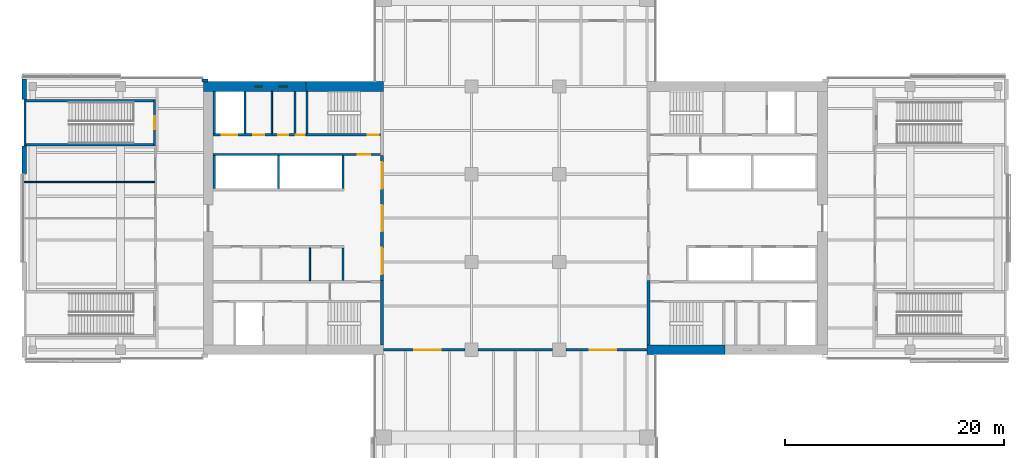
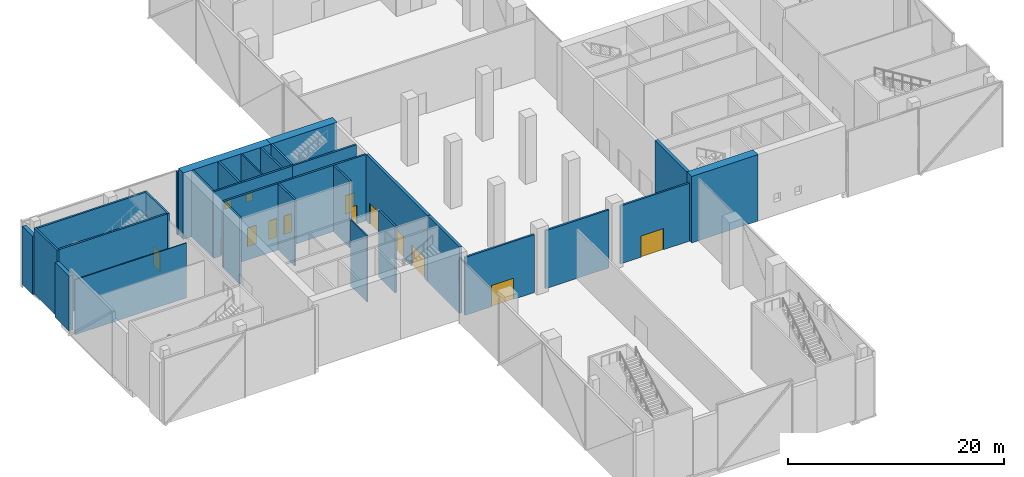
# One storey, part 15 of 25: 30 walls, 12 doors, 2 windows, 14 openings.
"""IFC4 building model written with IfcOpenShell, lengths in metres."""

import ifcopenshell
import ifcopenshell.guid

model = None  # the IFC model being written
_history = None  # IfcOwnerHistory: only IFC2X3 demands one
_inside = {}  # id of a spatial element -> (the spatial element, [elements in it])
_under = {}  # id of a project, library or spatial element -> (it, [spatial elements below it])
_declared = {}  # id of a project -> (the project, [libraries it declares])
_typed = {}  # id of a type object -> (the type object, [elements of that type])
_made_of = {}  # id of a material, layer set ... -> (it, [elements and type objects made of it])


def new_model(schema):
    """Start an empty IFC model of exactly this schema.

    Asked for "IFC4X3", IfcOpenShell would pick the latest addendum, in which some entities
    have other attributes; the version numbers below select the first issue.
    IFC2X3 requires an IfcOwnerHistory on every rooted entity: one is made here for all.
    """
    global model, _history
    if schema == "IFC4X3":
        model = ifcopenshell.file(schema_version=(4, 3, 0, 0))
    else:
        model = ifcopenshell.file(schema=schema)
    _inside.clear()
    _under.clear()
    _declared.clear()
    _typed.clear()
    _made_of.clear()
    _history = None
    if model.schema == "IFC2X3":
        org = make("IfcOrganization", Name="unknown")
        user = make(
            "IfcPersonAndOrganization",
            ThePerson=make("IfcPerson", FamilyName="unknown"),
            TheOrganization=org,
        )
        app = make(
            "IfcApplication",
            ApplicationDeveloper=org,
            Version="unknown",
            ApplicationFullName="unknown",
            ApplicationIdentifier="unknown",
        )
        _history = make(
            "IfcOwnerHistory",
            OwningUser=user,
            OwningApplication=app,
            ChangeAction="ADDED",
            CreationDate=0,
        )
    return model


def make(cls, **values):
    """One entity of the class cls with the attributes given. An attribute that is None is left unset."""
    return model.create_entity(
        cls, **{name: value for name, value in values.items() if value is not None}
    )


def rooted(cls, **values):
    """An entity with a GlobalId (a new one), such as an element, a storey or a relation."""
    return make(cls, GlobalId=ifcopenshell.guid.new(), OwnerHistory=_history, **values)


def si_unit(unit_type, name, prefix=None):
    """IfcSIUnit, for example si_unit("LENGTHUNIT", "METRE", prefix="MILLI")."""
    return make("IfcSIUnit", UnitType=unit_type, Prefix=prefix, Name=name)


def assignment(units):
    """IfcUnitAssignment: the units of a project."""
    return None if units is None else make("IfcUnitAssignment", Units=units)


def point(xyz):
    """IfcCartesianPoint."""
    return None if xyz is None else make("IfcCartesianPoint", Coordinates=xyz)


def direction(xyz):
    """IfcDirection."""
    return None if xyz is None else make("IfcDirection", DirectionRatios=xyz)


def frame(location, z_axis=None, x_axis=None):
    """IfcAxis2Placement3D, a coordinate frame: its origin and axes. An axis left out is left unset."""
    return make(
        "IfcAxis2Placement3D",
        Location=point(location),
        Axis=direction(z_axis),
        RefDirection=direction(x_axis),
    )


def frame_2d(location, x_axis=None):
    """IfcAxis2Placement2D, a coordinate frame in the plane: its origin and x axis."""
    return make(
        "IfcAxis2Placement2D", Location=point(location), RefDirection=direction(x_axis)
    )


def origin():
    """The frame at (0, 0, 0) with its axes left unset."""
    return frame((0.0, 0.0, 0.0))


def place(relative_to, where):
    """IfcLocalPlacement: puts the frame where relative to a parent placement (None: the world)."""
    return make(
        "IfcLocalPlacement", PlacementRelTo=relative_to, RelativePlacement=where
    )


def context(
    kind, dimensions, precision=None, world=None, true_north=None, identifier=None
):
    """IfcGeometricRepresentationContext, for example the 3D "Model" context."""
    return make(
        "IfcGeometricRepresentationContext",
        ContextIdentifier=identifier,
        ContextType=kind,
        CoordinateSpaceDimension=dimensions,
        Precision=precision,
        WorldCoordinateSystem=world,
        TrueNorth=true_north,
    )


def subcontext(parent, identifier, kind, view, scale=None):
    """IfcGeometricRepresentationSubContext, for example "Body" below "Model"."""
    return make(
        "IfcGeometricRepresentationSubContext",
        ContextIdentifier=identifier,
        ContextType=kind,
        ParentContext=parent,
        TargetScale=scale,
        TargetView=view,
    )


def project(units=None, contexts=None):
    """IfcProject with its units and contexts."""
    return rooted(
        "IfcProject",
        Name="project",
        RepresentationContexts=contexts,
        UnitsInContext=assignment(units),
    )


def spatial(cls, under=None, at=None, **own):
    """A site, building, storey or space (cls), placed at a placement, below another one or the project."""
    s = rooted(cls, ObjectPlacement=at, **own)
    if under is not None:
        _under.setdefault(under.id(), (under, []))[1].append(s)
    return s


def profile(cls, at=None, kind="AREA", **sizes):
    """A parametric profile (cls). Its sizes go by their IFC names, for example OverallWidth=200.0."""
    return make(cls, ProfileType=kind, Position=at, **sizes)


def rectangle(**sizes):
    """IfcRectangleProfileDef."""
    return profile("IfcRectangleProfileDef", **sizes)


def extrude(swept, where, along, depth):
    """IfcExtrudedAreaSolid: the profile swept, set in the frame where, extruded along a direction by depth."""
    return make(
        "IfcExtrudedAreaSolid",
        SweptArea=swept,
        Position=where,
        ExtrudedDirection=direction(along),
        Depth=depth,
    )


def shape(context_of_items, identifier, shape_type, items):
    """IfcShapeRepresentation: the items that make up one representation, for example the "Body"."""
    return make(
        "IfcShapeRepresentation",
        ContextOfItems=context_of_items,
        RepresentationIdentifier=identifier,
        RepresentationType=shape_type,
        Items=items,
    )


def material(Name=None, Category=None):
    """IfcMaterial."""
    return make("IfcMaterial", Name=Name, Category=Category)


def layer(
    of_material, thickness, ventilated=None, Name=None, Category=None, Priority=None
):
    """IfcMaterialLayer: one layer of a wall or slab, of a material (None: an air gap)."""
    return make(
        "IfcMaterialLayer",
        Material=of_material,
        LayerThickness=thickness,
        IsVentilated=ventilated,
        Name=Name,
        Category=Category,
        Priority=Priority,
    )


def layer_set(layers, Name=None):
    """IfcMaterialLayerSet."""
    return make("IfcMaterialLayerSet", MaterialLayers=layers, LayerSetName=Name)


def constituent(of_material, Name=None, Category=None, fraction=None):
    """IfcMaterialConstituent: one of the materials an element consists of."""
    return make(
        "IfcMaterialConstituent",
        Name=Name,
        Material=of_material,
        Fraction=fraction,
        Category=Category,
    )


def constituent_set(constituents=None, Name=None):
    """IfcMaterialConstituentSet."""
    return make(
        "IfcMaterialConstituentSet", Name=Name, MaterialConstituents=constituents
    )


def made_of(thing, what):
    """Note that an element or type object is made of a material, layer set ...; save() writes the relation."""
    if what is not None:
        _made_of.setdefault(what.id(), (what, []))[1].append(thing)
    return thing


def type_object(cls, material=None, **own):
    """A type object (cls), such as IfcWallType, which elements share."""
    return made_of(rooted(cls, **own), material)


def element(
    cls,
    number,
    at=None,
    inside=None,
    cuts=None,
    type_object=None,
    material=None,
    context=None,
    identifier="Body",
    shape_type=None,
    held_by="IfcProductDefinitionShape",
    body=None,
    shapes=None,
    **own,
):
    """One element of the class cls, such as IfcWall. Its Tag is "e" and its number.

    at: its placement. inside: the storey or other place that contains it. cuts: it is an
    opening in that element (IfcRelVoidsElement). A single representation is given by context,
    identifier, shape_type and body (its items); several are given by shapes. held_by: the class
    of the entity that holds the representations. save() writes the other relations.
    """
    e = rooted(cls, Tag="e%d" % number, ObjectPlacement=at, **own)
    if body is not None:
        shapes = [shape(context, identifier, shape_type, body)]
    if shapes is not None:
        e.Representation = make(held_by, Representations=shapes)
    if inside is not None:
        _inside.setdefault(inside.id(), (inside, []))[1].append(e)
    if cuts is not None:
        rooted(
            "IfcRelVoidsElement", RelatingBuildingElement=cuts, RelatedOpeningElement=e
        )
    if type_object is not None:
        _typed.setdefault(type_object.id(), (type_object, []))[1].append(e)
    return made_of(e, material)


def fill(opening, filler):
    """IfcRelFillsElement: the door or window that sits in an opening."""
    return rooted(
        "IfcRelFillsElement",
        RelatingOpeningElement=opening,
        RelatedBuildingElement=filler,
    )


def aggregate(whole, parts):
    """IfcRelAggregates: a whole, such as a stair, and the parts it consists of."""
    return rooted("IfcRelAggregates", RelatingObject=whole, RelatedObjects=parts)


def save(model, path):
    """Write the relations noted so far, then the file.

    IfcRelAggregates (storeys below a building ...), IfcRelContainedInSpatialStructure (elements
    in a storey), IfcRelDefinesByType, IfcRelAssociatesMaterial and IfcRelDeclares: one each for
    every whole, place, type object, material and project.
    """
    for whole, parts in _under.values():
        aggregate(whole, parts)
    for where, things in _inside.values():
        rooted(
            "IfcRelContainedInSpatialStructure",
            RelatedElements=things,
            RelatingStructure=where,
        )
    for kind, things in _typed.values():
        rooted("IfcRelDefinesByType", RelatedObjects=things, RelatingType=kind)
    for what, things in _made_of.values():
        rooted("IfcRelAssociatesMaterial", RelatedObjects=things, RelatingMaterial=what)
    for by, libraries in _declared.values():
        rooted("IfcRelDeclares", RelatingContext=by, RelatedDefinitions=libraries)
    model.write(path)


model = new_model("IFC4")

# Units and contexts
model_context = context("Model", 3, precision=1e-05, world=origin(), true_north=direction((0.0, 1.0)))
body_context = subcontext(model_context, "Body", "Model", "MODEL_VIEW")
ifc_project = project(units=[si_unit("LENGTHUNIT", "METRE"), si_unit("AREAUNIT", "SQUARE_METRE"), si_unit("VOLUMEUNIT", "CUBIC_METRE"), si_unit("PLANEANGLEUNIT", "RADIAN"), si_unit("MASSUNIT", "GRAM", prefix="KILO")], contexts=[model_context])

# Site, building, storey
site_placement = place(None, origin())
site = spatial("IfcSite", under=ifc_project, at=site_placement, CompositionType="ELEMENT")
building_placement = place(site_placement, origin())
building = spatial("IfcBuilding", under=site, at=building_placement, Name="Crosswind Convention Tower", CompositionType="ELEMENT")
storey_placement = place(building_placement, frame((0.0, 0.0, 34.0)))
storey = spatial("IfcBuildingStorey", under=building, at=storey_placement, Name="L04", CompositionType="ELEMENT", Elevation=34.0)

# Walls
ifc_material_1 = material(Name="Concrete blockwork", Category="masonry")
ifc_layer_1 = layer(ifc_material_1, 0.199951171875)
ifc_layer_set_1 = layer_set([ifc_layer_1], Name="Blockwork partition wall 200")
wall_type_1 = type_object("IfcWallType", Name="Blockwork partition wall 200", PredefinedType="PARTITIONING", material=ifc_layer_set_1)
wall_1_placement = place(storey_placement, frame((104.89990234375, 111.550048828125, 0.0), z_axis=(0.0, 0.0, 1.0), x_axis=(0.0, -1.0, 0.0)))
element("IfcWall", 1, at=wall_1_placement, inside=storey, type_object=wall_type_1, Name="Wall MRSE W L04", PredefinedType="PARTITIONING", context=body_context, shape_type="SweptSolid", body=[
    extrude(rectangle(XDim=3.85009765625, YDim=0.199951171875, at=frame_2d((1.925048828125, 0.0))), origin(), (0.0, 0.0, 1.0), 7.5),
])
ifc_material_2 = material(Name="Concrete C50/60", Category="concrete")
ifc_layer_2 = layer(ifc_material_2, 0.300048828125)
ifc_layer_set_2 = layer_set([ifc_layer_2], Name="Concrete C50/60")
wall_type_2 = type_object("IfcWallType", Name="Concrete inner core wall 300", PredefinedType="SHEAR", material=ifc_layer_set_2)
wall_2_placement = place(storey_placement, frame((137.14990234375, 88.449951171875, 0.0), z_axis=(0.0, 0.0, 1.0), x_axis=(0.0, 1.0, 0.0)))
element("IfcWall", 2, at=wall_2_placement, inside=storey, type_object=wall_type_2, Name="Wall EM E L04", PredefinedType="SHEAR", context=body_context, shape_type="SweptSolid", body=[
    extrude(rectangle(XDim=5.85009765625, YDim=0.300048828125, at=frame_2d((2.925048828125, 0.0))), origin(), (0.0, 0.0, 1.0), 7.5),
])

# Wall, openings, doors
wall_3_placement = place(storey_placement, frame((112.85009765625, 105.699951171875, 0.0), z_axis=(0.0, 0.0, 1.0), x_axis=(0.0, -1.0, 0.0)))
wall_3 = element("IfcWall", 3, at=wall_3_placement, inside=storey, type_object=wall_type_2, Name="Wall SCR W L04", PredefinedType="SHEAR", context=body_context, shape_type="SweptSolid", body=[
    extrude(rectangle(XDim=11.39990234375, YDim=0.300048828125, at=frame_2d((5.699951171875, 0.0))), origin(), (0.0, 0.0, 1.0), 7.5),
])
opening_1_placement = place(wall_3_placement, frame((0.60009765625, 0.0, 0.0)))
opening_1 = element("IfcOpeningElement", 4, at=opening_1_placement, cuts=wall_3, Name="Opening D100", PredefinedType="OPENING", context=body_context, shape_type="SweptSolid", body=[
    extrude(rectangle(XDim=2.39990234375, YDim=2.39990234375, at=frame_2d((1.199951171875, 1.199951171875))), frame((0.0, 0.159912109375, 0.0), z_axis=(0.0, -1.0, 0.0), x_axis=(1.0, 0.0, 0.0)), (0.0, 0.0, 1.0), 0.320068359375),
])
opening_2_placement = place(wall_3_placement, frame((4.5, 0.0, 0.0)))
opening_2 = element("IfcOpeningElement", 5, at=opening_2_placement, cuts=wall_3, Name="Opening D100", PredefinedType="OPENING", context=body_context, shape_type="SweptSolid", body=[
    extrude(rectangle(XDim=2.39990234375, YDim=2.39990234375, at=frame_2d((1.199951171875, 1.199951171875))), frame((0.0, 0.159912109375, 0.0), z_axis=(0.0, -1.0, 0.0), x_axis=(1.0, 0.0, 0.0)), (0.0, 0.0, 1.0), 0.320068359375),
])
opening_3_placement = place(wall_3_placement, frame((8.39990234375, 0.0, 0.0)))
opening_3 = element("IfcOpeningElement", 6, at=opening_3_placement, cuts=wall_3, Name="Opening D100", PredefinedType="OPENING", context=body_context, shape_type="SweptSolid", body=[
    extrude(rectangle(XDim=2.39990234375, YDim=2.39990234375, at=frame_2d((1.199951171875, 1.199951171875))), frame((0.0, 0.159912109375, 0.0), z_axis=(0.0, -1.0, 0.0), x_axis=(1.0, 0.0, 0.0)), (0.0, 0.0, 1.0), 0.320068359375),
])
ifc_material_3 = material(Name="Steel fire door with glazed vision panels", Category="steel")
door_type_1 = type_object("IfcDoorType", Name="Fire-rated double door 2400x2400", OperationType="DOUBLE_DOOR_SINGLE_SWING", PredefinedType="DOOR", material=ifc_material_3)
door_1_placement = place(opening_1_placement, frame((2.39990234375, 0.0, 0.0), z_axis=(0.0, 0.0, 1.0), x_axis=(-1.0, 0.0, 0.0)))
door_1 = element("IfcDoor", 7, at=door_1_placement, inside=storey, type_object=door_type_1, Name="Lobby door 1 L04", ObjectType="D100", OperationType="DOUBLE_DOOR_SINGLE_SWING", OverallHeight=2.39990234375, OverallWidth=2.39990234375, PredefinedType="DOOR", context=body_context, shape_type="SweptSolid", body=[
    extrude(rectangle(XDim=2.39990234375, YDim=2.39990234375, at=frame_2d((1.199951171875, 1.199951171875))), frame((0.0, 0.02490234375, 0.0), z_axis=(0.0, -1.0, 0.0), x_axis=(1.0, 0.0, 0.0)), (0.0, 0.0, 1.0), 0.050048828125),
])
fill(opening_1, door_1)
door_2_placement = place(opening_2_placement, frame((2.39990234375, 0.0, 0.0), z_axis=(0.0, 0.0, 1.0), x_axis=(-1.0, 0.0, 0.0)))
door_2 = element("IfcDoor", 8, at=door_2_placement, inside=storey, type_object=door_type_1, Name="Lobby door 2 L04", ObjectType="D100", OperationType="DOUBLE_DOOR_SINGLE_SWING", OverallHeight=2.39990234375, OverallWidth=2.39990234375, PredefinedType="DOOR", context=body_context, shape_type="SweptSolid", body=[
    extrude(rectangle(XDim=2.39990234375, YDim=2.39990234375, at=frame_2d((1.199951171875, 1.199951171875))), frame((0.0, 0.02490234375, 0.0), z_axis=(0.0, -1.0, 0.0), x_axis=(1.0, 0.0, 0.0)), (0.0, 0.0, 1.0), 0.050048828125),
])
fill(opening_2, door_2)
door_3_placement = place(opening_3_placement, origin())
door_3 = element("IfcDoor", 9, at=door_3_placement, inside=storey, type_object=door_type_1, Name="Lobby door 3 L04", ObjectType="D100", OperationType="DOUBLE_DOOR_SINGLE_SWING", OverallHeight=2.39990234375, OverallWidth=2.39990234375, PredefinedType="DOOR", context=body_context, shape_type="SweptSolid", body=[
    extrude(rectangle(XDim=2.39990234375, YDim=2.39990234375, at=frame_2d((1.199951171875, 1.199951171875))), frame((0.0, 0.02490234375, 0.0), z_axis=(0.0, -1.0, 0.0), x_axis=(1.0, 0.0, 0.0)), (0.0, 0.0, 1.0), 0.050048828125),
])
fill(opening_3, door_3)

# Walls
wall_4_placement = place(storey_placement, frame((112.85009765625, 94.300048828125, 0.0), z_axis=(0.0, 0.0, 1.0), x_axis=(0.0, -1.0, 0.0)))
element("IfcWall", 10, at=wall_4_placement, inside=storey, type_object=wall_type_2, Name="Wall EP W L04", PredefinedType="SHEAR", context=body_context, shape_type="SweptSolid", body=[
    extrude(rectangle(XDim=5.85009765625, YDim=0.300048828125, at=frame_2d((2.925048828125, 0.0))), origin(), (0.0, 0.0, 1.0), 7.5),
])
ifc_layer_3 = layer(ifc_material_2, 0.199951171875)
ifc_layer_set_3 = layer_set([ifc_layer_3], Name="Concrete C50/60")
wall_type_3 = type_object("IfcWallType", Name="Concrete shaft and stair wall 200", PredefinedType="SHEAR", material=ifc_layer_set_3)
for number, where, z_axis, x_axis, name in (
    (11, (109.300048828125, 97.300048828125, 0.0), (0.0, 0.0, 1.0), (0.0, -1.0, 0.0), "Wall RPEND W L04"),
    (12, (109.300048828125, 105.699951171875, 0.0), (0.0, 0.0, 1.0), (0.0, -1.0, 0.0), "Wall RMEND W L04"),
    (13, (103.39990234375, 105.699951171875, 0.0), (0.0, 0.0, 1.0), (0.0, -1.0, 0.0), "Wall RMSEP W L04"),
    (14, (97.550048828125, 105.699951171875, 0.0), (0.0, 0.0, 1.0), (0.0, -1.0, 0.0), "Wall RMEAST W L04"),
):
    element("IfcWall", number, at=place(storey_placement, frame(where, z_axis=z_axis, x_axis=x_axis)), inside=storey, type_object=wall_type_3, Name=name, PredefinedType="SHEAR", context=body_context, shape_type="SweptSolid", body=[
        extrude(rectangle(XDim=3.0, YDim=0.199951171875, at=frame_2d((1.5, 0.0))), origin(), (0.0, 0.0, 1.0), 7.5),
    ])

# Wall, opening, door
wall_5_placement = place(storey_placement, frame((112.699951171875, 105.800048828125, 0.0), z_axis=(0.0, 0.0, 1.0), x_axis=(-1.0, 0.0, 0.0)))
wall_5 = element("IfcWall", 15, at=wall_5_placement, inside=storey, type_object=wall_type_3, Name="Wall HM W L04", PredefinedType="SHEAR", context=body_context, shape_type="SweptSolid", body=[
    extrude(rectangle(XDim=15.25, YDim=0.199951171875, at=frame_2d((7.625, 0.0))), origin(), (0.0, 0.0, 1.0), 7.5),
])
opening_4_placement = place(wall_5_placement, frame((0.949951171875, 0.0, 0.0)))
opening_4 = element("IfcOpeningElement", 16, at=opening_4_placement, cuts=wall_5, Name="Opening D104", PredefinedType="OPENING", context=body_context, shape_type="SweptSolid", body=[
    extrude(rectangle(XDim=1.10009765625, YDim=2.10009765625, at=frame_2d((0.550048828125, 1.050048828125))), frame((0.0, 0.10986328125, 0.0), z_axis=(0.0, -1.0, 0.0), x_axis=(1.0, 0.0, 0.0)), (0.0, 0.0, 1.0), 0.219970703125),
])
ifc_material_4 = material(Name="Steel fire door", Category="steel")
door_type_2 = type_object("IfcDoorType", Name="Fire-rated single door 1100x2100", OperationType="NOTDEFINED", PredefinedType="DOOR", material=ifc_material_4)
door_4_placement = place(opening_4_placement, frame((1.10009765625, 0.0, 0.0), z_axis=(0.0, 0.0, 1.0), x_axis=(-1.0, 0.0, 0.0)))
door_4 = element("IfcDoor", 17, at=door_4_placement, inside=storey, type_object=door_type_2, Name="Corridor door L04", ObjectType="D104", OperationType="SINGLE_SWING_RIGHT", OverallHeight=2.10009765625, OverallWidth=1.10009765625, PredefinedType="DOOR", context=body_context, shape_type="SweptSolid", body=[
    extrude(rectangle(XDim=1.10009765625, YDim=2.10009765625, at=frame_2d((0.550048828125, 1.050048828125))), frame((0.0, 0.02490234375, 0.0), z_axis=(0.0, -1.0, 0.0), x_axis=(1.0, 0.0, 0.0)), (0.0, 0.0, 1.0), 0.050048828125),
])
fill(opening_4, door_4)

# Walls
for number, where, z_axis, x_axis, name in (
    (18, (106.0, 111.550048828125, 0.0), (0.0, 0.0, 1.0), (0.0, -1.0, 0.0), "Wall MSE W L04"),
    (19, (100.35009765625, 111.550048828125, 0.0), (0.0, 0.0, 1.0), (0.0, -1.0, 0.0), "Wall MFSW W L04"),
    (20, (97.550048828125, 111.550048828125, 0.0), (0.0, 0.0, 1.0), (0.0, -1.0, 0.0), "Wall MFSE W L04"),
):
    element("IfcWall", number, at=place(storey_placement, frame(where, z_axis=z_axis, x_axis=x_axis)), inside=storey, type_object=wall_type_3, Name=name, PredefinedType="SHEAR", context=body_context, shape_type="SweptSolid", body=[
        extrude(rectangle(XDim=3.85009765625, YDim=0.199951171875, at=frame_2d((1.925048828125, 0.0))), origin(), (0.0, 0.0, 1.0), 7.5),
    ])

# Wall, opening, door
wall_6_placement = place(storey_placement, frame((112.699951171875, 107.60009765625, 0.0), z_axis=(0.0, 0.0, 1.0), x_axis=(-1.0, 0.0, 0.0)))
wall_6 = element("IfcWall", 21, at=wall_6_placement, inside=storey, type_object=wall_type_3, Name="Wall MCW W L04", PredefinedType="SHEAR", context=body_context, shape_type="SweptSolid", body=[
    extrude(rectangle(XDim=6.800048828125, YDim=0.199951171875, at=frame_2d((3.39990234375, 0.0))), origin(), (0.0, 0.0, 1.0), 7.5),
])
opening_5_placement = place(wall_6_placement, frame((0.14990234375, 0.0, 0.0)))
opening_5 = element("IfcOpeningElement", 22, at=opening_5_placement, cuts=wall_6, Name="Opening D103", PredefinedType="OPENING", context=body_context, shape_type="SweptSolid", body=[
    extrude(rectangle(XDim=1.0, YDim=2.10009765625, at=frame_2d((0.5, 1.050048828125))), frame((0.0, 0.10986328125, 0.0), z_axis=(0.0, -1.0, 0.0), x_axis=(1.0, 0.0, 0.0)), (0.0, 0.0, 1.0), 0.219970703125),
])
door_type_3 = type_object("IfcDoorType", Name="Fire-rated single door 1000x2100", OperationType="NOTDEFINED", PredefinedType="DOOR", material=ifc_material_4)
door_5_placement = place(opening_5_placement, frame((1.0, 0.0, 0.0), z_axis=(0.0, 0.0, 1.0), x_axis=(-1.0, 0.0, 0.0)))
door_5 = element("IfcDoor", 23, at=door_5_placement, inside=storey, type_object=door_type_3, Name="Stair ST4 door L04", ObjectType="D103", OperationType="SINGLE_SWING_RIGHT", OverallHeight=2.10009765625, OverallWidth=1.0, PredefinedType="DOOR", context=body_context, shape_type="SweptSolid", body=[
    extrude(rectangle(XDim=1.0, YDim=2.10009765625, at=frame_2d((0.5, 1.050048828125))), frame((0.0, 0.02490234375, 0.0), z_axis=(0.0, -1.0, 0.0), x_axis=(1.0, 0.0, 0.0)), (0.0, 0.0, 1.0), 0.050048828125),
])
fill(opening_5, door_5)

# Wall, openings, doors
wall_7_placement = place(storey_placement, frame((105.89990234375, 107.60009765625, 0.0), z_axis=(0.0, 0.0, 1.0), x_axis=(-1.0, 0.0, 0.0)))
wall_7 = element("IfcWall", 24, at=wall_7_placement, inside=storey, type_object=wall_type_3, Name="Wall MCX W L04", PredefinedType="SHEAR", context=body_context, shape_type="SweptSolid", body=[
    extrude(rectangle(XDim=8.449951171875, YDim=0.199951171875, at=frame_2d((4.22509765625, 0.0))), origin(), (0.0, 0.0, 1.0), 7.5),
])
opening_6_placement = place(wall_7_placement, frame((0.10009765625, 0.0, 0.0)))
opening_6 = element("IfcOpeningElement", 25, at=opening_6_placement, cuts=wall_7, Name="Opening D105", PredefinedType="OPENING", context=body_context, shape_type="SweptSolid", body=[
    extrude(rectangle(XDim=0.800048828125, YDim=2.10009765625, at=frame_2d((0.39990234375, 1.050048828125))), frame((0.0, 0.10986328125, 0.0), z_axis=(0.0, -1.0, 0.0), x_axis=(1.0, 0.0, 0.0)), (0.0, 0.0, 1.0), 0.219970703125),
])
opening_7_placement = place(wall_7_placement, frame((1.619140625, 0.0, 0.0)))
opening_7 = element("IfcOpeningElement", 26, at=opening_7_placement, cuts=wall_7, Name="Opening D106", PredefinedType="OPENING", context=body_context, shape_type="SweptSolid", body=[
    extrude(rectangle(XDim=0.89990234375, YDim=2.10009765625, at=frame_2d((0.449951171875, 1.050048828125))), frame((0.0, 0.10986328125, 0.0), z_axis=(0.0, -1.0, 0.0), x_axis=(1.0, 0.0, 0.0)), (0.0, 0.0, 1.0), 0.219970703125),
])
opening_8_placement = place(wall_7_placement, frame((3.806640625, 0.0, 0.0)))
opening_8 = element("IfcOpeningElement", 27, at=opening_8_placement, cuts=wall_7, Name="Opening D103", PredefinedType="OPENING", context=body_context, shape_type="SweptSolid", body=[
    extrude(rectangle(XDim=1.0, YDim=2.10009765625, at=frame_2d((0.5, 1.050048828125))), frame((0.0, 0.10986328125, 0.0), z_axis=(0.0, -1.0, 0.0), x_axis=(1.0, 0.0, 0.0)), (0.0, 0.0, 1.0), 0.219970703125),
])
opening_9_placement = place(wall_7_placement, frame((6.25, 0.0, 0.0)))
opening_9 = element("IfcOpeningElement", 28, at=opening_9_placement, cuts=wall_7, Name="Opening LD2", PredefinedType="OPENING", context=body_context, shape_type="SweptSolid", body=[
    extrude(rectangle(XDim=1.39990234375, YDim=2.10009765625, at=frame_2d((0.699951171875, 1.050048828125))), frame((0.0, 0.10986328125, 0.0), z_axis=(0.0, -1.0, 0.0), x_axis=(1.0, 0.0, 0.0)), (0.0, 0.0, 1.0), 0.219970703125),
])
door_6_placement = place(opening_8_placement, frame((1.0, 0.0, 0.0), z_axis=(0.0, 0.0, 1.0), x_axis=(-1.0, 0.0, 0.0)))
door_6 = element("IfcDoor", 29, at=door_6_placement, inside=storey, type_object=door_type_3, Name="Door to accessible wc L04", ObjectType="D103", OperationType="SINGLE_SWING_LEFT", OverallHeight=2.10009765625, OverallWidth=1.0, PredefinedType="DOOR", context=body_context, shape_type="SweptSolid", body=[
    extrude(rectangle(XDim=1.0, YDim=2.10009765625, at=frame_2d((0.5, 1.050048828125))), frame((0.0, 0.02490234375, 0.0), z_axis=(0.0, -1.0, 0.0), x_axis=(1.0, 0.0, 0.0)), (0.0, 0.0, 1.0), 0.050048828125),
])
fill(opening_8, door_6)
ifc_material_5 = material(Name="Stainless steel", Category="steel")
door_type_4 = type_object("IfcDoorType", Name="Lift landing door 1400x2100", OperationType="DOUBLE_DOOR_SLIDING", PredefinedType="DOOR", material=ifc_material_5)
door_7_placement = place(opening_9_placement, origin())
door_7 = element("IfcDoor", 30, at=door_7_placement, inside=storey, type_object=door_type_4, Name="Landing door SV2 L04", ObjectType="LD2", OperationType="DOUBLE_DOOR_SLIDING", OverallHeight=2.10009765625, OverallWidth=1.39990234375, PredefinedType="DOOR", context=body_context, shape_type="SweptSolid", body=[
    extrude(rectangle(XDim=1.39990234375, YDim=2.10009765625, at=frame_2d((0.699951171875, 1.050048828125))), frame((0.0, 0.02490234375, 0.0), z_axis=(0.0, -1.0, 0.0), x_axis=(1.0, 0.0, 0.0)), (0.0, 0.0, 1.0), 0.050048828125),
])
fill(opening_9, door_7)
door_type_5 = type_object("IfcDoorType", Name="Riser access door 800x2100", OperationType="NOTDEFINED", PredefinedType="DOOR", material=ifc_material_4)
door_8_placement = place(opening_6_placement, frame((0.800048828125, 0.0, 0.0), z_axis=(0.0, 0.0, 1.0), x_axis=(-1.0, 0.0, 0.0)))
door_8 = element("IfcDoor", 31, at=door_8_placement, inside=storey, type_object=door_type_5, Name="Riser door L04", ObjectType="D105", OperationType="SINGLE_SWING_LEFT", OverallHeight=2.10009765625, OverallWidth=0.800048828125, PredefinedType="DOOR", context=body_context, shape_type="SweptSolid", body=[
    extrude(rectangle(XDim=0.800048828125, YDim=2.10009765625, at=frame_2d((0.39990234375, 1.050048828125))), frame((0.0, 0.02490234375, 0.0), z_axis=(0.0, -1.0, 0.0), x_axis=(1.0, 0.0, 0.0)), (0.0, 0.0, 1.0), 0.050048828125),
])
fill(opening_6, door_8)
ifc_material_6 = material(Name="Timber door", Category="wood")
door_type_6 = type_object("IfcDoorType", Name="Single leaf door 900x2100", OperationType="NOTDEFINED", PredefinedType="DOOR", material=ifc_material_6)
door_9_placement = place(opening_7_placement, frame((0.89990234375, 0.0, 0.0), z_axis=(0.0, 0.0, 1.0), x_axis=(-1.0, 0.0, 0.0)))
door_9 = element("IfcDoor", 32, at=door_9_placement, inside=storey, type_object=door_type_6, Name="Door to wc L04", ObjectType="D106", OperationType="SINGLE_SWING_LEFT", OverallHeight=2.10009765625, OverallWidth=0.89990234375, PredefinedType="DOOR", context=body_context, shape_type="SweptSolid", body=[
    extrude(rectangle(XDim=0.89990234375, YDim=2.10009765625, at=frame_2d((0.449951171875, 1.050048828125))), frame((0.0, 0.02490234375, 0.0), z_axis=(0.0, -1.0, 0.0), x_axis=(1.0, 0.0, 0.0)), (0.0, 0.0, 1.0), 0.050048828125),
])
fill(opening_7, door_9)

# Walls
ifc_material_7 = material(Name="Gypsum plasterboard partition", Category="gypsum")
ifc_layer_4 = layer(ifc_material_7, 0.125)
ifc_layer_set_4 = layer_set([ifc_layer_4], Name="Drywall partition wall 125")
wall_type_4 = type_object("IfcWallType", Name="Drywall partition wall 125", PredefinedType="PARTITIONING", material=ifc_layer_set_4)
wall_8_placement = place(storey_placement, frame((106.262451171875, 97.300048828125, 0.0), z_axis=(0.0, 0.0, 1.0), x_axis=(0.0, -1.0, 0.0)))
element("IfcWall", 33, at=wall_8_placement, inside=storey, type_object=wall_type_4, Name="Wall RPP1 W L04", PredefinedType="PARTITIONING", context=body_context, shape_type="SweptSolid", body=[
    extrude(rectangle(XDim=3.0, YDim=0.125, at=frame_2d((1.5, 0.0))), origin(), (0.0, 0.0, 1.0), 7.5),
])
wall_9_placement = place(storey_placement, frame((102.799072265625, 111.550048828125, 0.0), z_axis=(0.0, 0.0, 1.0), x_axis=(0.0, -1.0, 0.0)))
element("IfcWall", 34, at=wall_9_placement, inside=storey, type_object=wall_type_4, Name="Wall MWP1 W L04", PredefinedType="PARTITIONING", context=body_context, shape_type="SweptSolid", body=[
    extrude(rectangle(XDim=3.85009765625, YDim=0.125, at=frame_2d((1.925048828125, 0.0))), origin(), (0.0, 0.0, 1.0), 7.5),
])

# Wall, opening, door
ifc_material_8 = material(Name="Double plasterboard partition", Category="gypsum")
ifc_layer_5 = layer(ifc_material_8, 0.199951171875)
ifc_layer_set_5 = layer_set([ifc_layer_5], Name="HALL WALL 200")
wall_type_5 = type_object("IfcWallType", Name="HALL WALL 200", PredefinedType="PARTITIONING", material=ifc_layer_set_5)
wall_10_placement = place(storey_placement, frame((113.0, 88.0, 0.0), z_axis=(0.0, 0.0, 1.0), x_axis=(1.0, 0.0, 0.0)))
wall_10 = element("IfcWall", 35, at=wall_10_placement, inside=storey, type_object=wall_type_5, Name="Hall Wall 5", PredefinedType="PARTITIONING", context=body_context, shape_type="SweptSolid", body=[
    extrude(rectangle(XDim=7.39990234375, YDim=0.199951171875, at=frame_2d((3.699951171875, 0.0))), origin(), (0.0, 0.0, 1.0), 6.551025390625),
])
opening_10_placement = place(wall_10_placement, frame((2.800048828125, 0.0, 0.0)))
opening_10 = element("IfcOpeningElement", 36, at=opening_10_placement, cuts=wall_10, Name="Opening 04.005", PredefinedType="OPENING", context=body_context, shape_type="SweptSolid", body=[
    extrude(rectangle(XDim=2.39990234375, YDim=2.39990234375, at=frame_2d((1.199951171875, 1.199951171875))), frame((0.0, 0.10986328125, 0.0), z_axis=(0.0, -1.0, 0.0), x_axis=(1.0, 0.0, 0.0)), (0.0, 0.0, 1.0), 0.219970703125),
])
ifc_material_9 = material(Name="Timber fire door", Category="wood")
door_type_7 = type_object("IfcDoorType", Name="BALLROOM DOUBLE DOOR 2400X2400", OperationType="DOUBLE_DOOR_SINGLE_SWING", PredefinedType="DOOR", material=ifc_material_9)
door_10_placement = place(opening_10_placement, origin())
door_10 = element("IfcDoor", 37, at=door_10_placement, inside=storey, type_object=door_type_7, Name="Door 04.005", ObjectType="D8", OperationType="DOUBLE_DOOR_SINGLE_SWING", OverallHeight=2.39990234375, OverallWidth=2.39990234375, PredefinedType="DOOR", context=body_context, shape_type="SweptSolid", body=[
    extrude(rectangle(XDim=2.39990234375, YDim=2.39990234375, at=frame_2d((1.199951171875, 1.199951171875))), frame((0.0, 0.02490234375, 0.0), z_axis=(0.0, -1.0, 0.0), x_axis=(1.0, 0.0, 0.0)), (0.0, 0.0, 1.0), 0.050048828125),
])
fill(opening_10, door_10)

# Wall
wall_11_placement = place(storey_placement, frame((121.60009765625, 88.0, 0.0), z_axis=(0.0, 0.0, 1.0), x_axis=(1.0, 0.0, 0.0)))
element("IfcWall", 38, at=wall_11_placement, inside=storey, type_object=wall_type_5, Name="Hall Wall 6", PredefinedType="PARTITIONING", context=body_context, shape_type="SweptSolid", body=[
    extrude(rectangle(XDim=6.7998046875, YDim=0.199951171875, at=frame_2d((3.39990234375, 0.0))), origin(), (0.0, 0.0, 1.0), 6.555419921875),
])

# Wall, opening, door
wall_12_placement = place(storey_placement, frame((129.60009765625, 88.0, 0.0), z_axis=(0.0, 0.0, 1.0), x_axis=(1.0, 0.0, 0.0)))
wall_12 = element("IfcWall", 39, at=wall_12_placement, inside=storey, type_object=wall_type_5, Name="Hall Wall 7", PredefinedType="PARTITIONING", context=body_context, shape_type="SweptSolid", body=[
    extrude(rectangle(XDim=7.39990234375, YDim=0.199951171875, at=frame_2d((3.699951171875, 0.0))), origin(), (0.0, 0.0, 1.0), 6.551025390625),
])
opening_11_placement = place(wall_12_placement, frame((2.199951171875, 0.0, 0.0)))
opening_11 = element("IfcOpeningElement", 40, at=opening_11_placement, cuts=wall_12, Name="Opening 04.006", PredefinedType="OPENING", context=body_context, shape_type="SweptSolid", body=[
    extrude(rectangle(XDim=2.39990234375, YDim=2.39990234375, at=frame_2d((1.199951171875, 1.199951171875))), frame((0.0, 0.10986328125, 0.0), z_axis=(0.0, -1.0, 0.0), x_axis=(1.0, 0.0, 0.0)), (0.0, 0.0, 1.0), 0.219970703125),
])
door_11_placement = place(opening_11_placement, origin())
door_11 = element("IfcDoor", 41, at=door_11_placement, inside=storey, type_object=door_type_7, Name="Door 04.006", ObjectType="D8", OperationType="DOUBLE_DOOR_SINGLE_SWING", OverallHeight=2.39990234375, OverallWidth=2.39990234375, PredefinedType="DOOR", context=body_context, shape_type="SweptSolid", body=[
    extrude(rectangle(XDim=2.39990234375, YDim=2.39990234375, at=frame_2d((1.199951171875, 1.199951171875))), frame((0.0, 0.02490234375, 0.0), z_axis=(0.0, -1.0, 0.0), x_axis=(1.0, 0.0, 0.0)), (0.0, 0.0, 1.0), 0.050048828125),
])
fill(opening_11, door_11)

# Walls
ifc_material_10 = material(Name="Plasterboard partition", Category="gypsum")
ifc_layer_6 = layer(ifc_material_10, 0.10009765625)
ifc_layer_set_6 = layer_set([ifc_layer_6], Name="PARTITION 100")
wall_type_6 = type_object("IfcWallType", Name="PARTITION 100", PredefinedType="PARTITIONING", material=ifc_layer_set_6)
wall_13_placement = place(storey_placement, frame((80.199951171875, 103.300048828125, 0.0), z_axis=(0.0, 0.0, 1.0), x_axis=(1.0, 0.0, 0.0)))
element("IfcWall", 42, at=wall_13_placement, inside=storey, type_object=wall_type_6, Name="Partition 14", PredefinedType="PARTITIONING", context=body_context, shape_type="SweptSolid", body=[
    extrude(rectangle(XDim=11.925048828125, YDim=0.10009765625, at=frame_2d((5.96240234375, 0.0))), origin(), (0.0, 0.0, 1.0), 6.199951171875),
])
ifc_material_11 = material(Name="Concrete C40/50", Category="concrete")
ifc_layer_7 = layer(ifc_material_11, 0.199951171875)
ifc_layer_set_7 = layer_set([ifc_layer_7], Name="Concrete C40/50")
wall_type_7 = type_object("IfcWallType", Name="STAIR ENCLOSURE WALL 200", PredefinedType="SOLIDWALL", material=ifc_layer_set_7)
for number, where, z_axis, x_axis, name in (
    (43, (80.39990234375, 106.699951171875, 0.0), (0.0, 0.0, 1.0), (1.0, 0.0, 0.0), "Stair Enclosure Wall 15"),
    (44, (80.39990234375, 110.699951171875, 0.0), (0.0, 0.0, 1.0), (1.0, 0.0, 0.0), "Stair Enclosure Wall 17"),
):
    element("IfcWall", number, at=place(storey_placement, frame(where, z_axis=z_axis, x_axis=x_axis)), inside=storey, type_object=wall_type_7, Name=name, PredefinedType="SOLIDWALL", context=body_context, shape_type="SweptSolid", body=[
        extrude(rectangle(XDim=11.60009765625, YDim=0.199951171875, at=frame_2d((5.800048828125, 0.0))), origin(), (0.0, 0.0, 1.0), 7.5),
    ])
wall_14_placement = place(storey_placement, frame((80.300048828125, 106.60009765625, 0.0), z_axis=(0.0, 0.0, 1.0), x_axis=(0.0, 1.0, 0.0)))
element("IfcWall", 45, at=wall_14_placement, inside=storey, type_object=wall_type_7, Name="Stair Enclosure Wall 26", PredefinedType="SOLIDWALL", context=body_context, shape_type="SweptSolid", body=[
    extrude(rectangle(XDim=4.199951171875, YDim=0.199951171875, at=frame_2d((2.10009765625, 0.0))), origin(), (0.0, 0.0, 1.0), 7.5),
])

# Wall, opening, door
wall_15_placement = place(storey_placement, frame((92.10009765625, 106.60009765625, 0.0), z_axis=(0.0, 0.0, 1.0), x_axis=(0.0, 1.0, 0.0)))
wall_15 = element("IfcWall", 46, at=wall_15_placement, inside=storey, type_object=wall_type_7, Name="Stair Enclosure Wall 28", PredefinedType="SOLIDWALL", context=body_context, shape_type="SweptSolid", body=[
    extrude(rectangle(XDim=4.199951171875, YDim=0.199951171875, at=frame_2d((2.10009765625, 0.0))), origin(), (0.0, 0.0, 1.0), 7.5),
])
opening_12_placement = place(wall_15_placement, frame((1.5, 0.0, 0.0)))
opening_12 = element("IfcOpeningElement", 47, at=opening_12_placement, cuts=wall_15, Name="Opening 04.020", PredefinedType="OPENING", context=body_context, shape_type="SweptSolid", body=[
    extrude(rectangle(XDim=1.199951171875, YDim=2.199951171875, at=frame_2d((0.60009765625, 1.10009765625))), frame((0.0, 0.10986328125, 0.0), z_axis=(0.0, -1.0, 0.0), x_axis=(1.0, 0.0, 0.0)), (0.0, 0.0, 1.0), 0.219970703125),
])
door_type_8 = type_object("IfcDoorType", Name="STAIR DOOR 1200X2200", OperationType="NOTDEFINED", PredefinedType="DOOR", material=ifc_material_4)
door_12_placement = place(opening_12_placement, origin())
door_12 = element("IfcDoor", 48, at=door_12_placement, inside=storey, type_object=door_type_8, Name="Door 04.020", ObjectType="D4", OperationType="SINGLE_SWING_RIGHT", OverallHeight=2.199951171875, OverallWidth=1.199951171875, PredefinedType="DOOR", context=body_context, shape_type="SweptSolid", body=[
    extrude(rectangle(XDim=1.199951171875, YDim=2.199951171875, at=frame_2d((0.60009765625, 1.10009765625))), frame((0.0, 0.02490234375, 0.0), z_axis=(0.0, -1.0, 0.0), x_axis=(1.0, 0.0, 0.0)), (0.0, 0.0, 1.0), 0.050048828125),
])
fill(opening_12, door_12)

# Walls
ifc_material_12 = material(Name="Terracotta rainscreen", Category="ceramic")
ifc_layer_8 = layer(ifc_material_12, 0.02001953125)
ifc_material_13 = material(Name="Mineral wool insulation", Category="insulation")
ifc_layer_9 = layer(ifc_material_13, 0.10009765625)
ifc_layer_10 = layer(ifc_material_1, 0.18603515625)
ifc_layer_set_8 = layer_set([ifc_layer_8, ifc_layer_9, ifc_layer_10], Name="TERRACOTTA CORNER INFILL WALL 306")
wall_type_8 = type_object("IfcWallType", Name="TERRACOTTA CORNER INFILL WALL 306", PredefinedType="SOLIDWALL", material=ifc_layer_set_8)
wall_16_placement = place(storey_placement, frame((96.445068359375, 112.547119140625, 0.0), z_axis=(0.0, 0.0, 1.0), x_axis=(1.0, 0.0, 0.0)))
element("IfcWall", 49, at=wall_16_placement, inside=storey, type_object=wall_type_8, Name="Core corner infill wall L04 2", PredefinedType="SOLIDWALL", context=body_context, shape_type="SweptSolid", body=[
    extrude(rectangle(XDim=0.554931640625, YDim=0.305908203125, at=frame_2d((0.27734375, 0.0))), origin(), (0.0, 0.0, 1.0), 7.10009765625),
])
ifc_layer_11 = layer(ifc_material_12, 0.02001953125)
ifc_layer_12 = layer(ifc_material_13, 0.10009765625)
ifc_layer_13 = layer(ifc_material_1, 0.280029296875)
ifc_layer_set_9 = layer_set([ifc_layer_11, ifc_layer_12, ifc_layer_13], Name="TERRACOTTA INFILL WALL 400")
wall_type_9 = type_object("IfcWallType", Name="TERRACOTTA INFILL WALL 400", PredefinedType="SOLIDWALL", material=ifc_layer_set_9)
wall_17_placement = place(storey_placement, frame((80.215087890625, 112.699951171875, 0.0), z_axis=(0.0, 0.0, 1.0), x_axis=(0.0, -1.0, 0.0)))
element("IfcWall", 50, at=wall_17_placement, inside=storey, type_object=wall_type_9, Name="Stair enclosure side wall L04 W-TIP.1-1.1", PredefinedType="SOLIDWALL", context=body_context, shape_type="SweptSolid", body=[
    extrude(rectangle(XDim=1.89990234375, YDim=0.39990234375, at=frame_2d((0.949951171875, 0.0))), origin(), (0.0, 0.0, 1.0), 6.60009765625),
])
wall_18_placement = place(storey_placement, frame((80.215087890625, 106.60009765625, 0.0), z_axis=(0.0, 0.0, 1.0), x_axis=(0.0, -1.0, 0.0)))
element("IfcWall", 51, at=wall_18_placement, inside=storey, type_object=wall_type_9, Name="Stair enclosure side wall L04 W-TIP.1-1.2", PredefinedType="SOLIDWALL", context=body_context, shape_type="SweptSolid", body=[
    extrude(rectangle(XDim=2.56005859375, YDim=0.39990234375, at=frame_2d((1.280029296875, 0.0))), origin(), (0.0, 0.0, 1.0), 6.199951171875),
])
ifc_material_14 = material(Name="Concrete C60/75", Category="concrete")
ifc_constituent_1 = constituent(ifc_material_14, Name="Structure")
ifc_constituent_2 = constituent(ifc_material_12, Name="Facing")
ifc_constituent_set = constituent_set(constituents=[ifc_constituent_1, ifc_constituent_2], Name="Concrete C60/75, Terracotta rainscreen")
wall_type_10 = type_object("IfcWallType", Name="Terracotta rainscreen on concrete core wall 900", PredefinedType="SHEAR", material=ifc_constituent_set)
for number, where, z_axis, x_axis, name in (
    (52, (137.0, 88.0, 0.0), (0.0, 0.0, 1.0), (1.0, 0.0, 0.0), "Wall S1 E L04"),
    (53, (113.0, 112.0, 0.0), (0.0, 0.0, 1.0), (-1.0, 0.0, 0.0), "Wall S1 W L04"),
):
    element("IfcWall", number, at=place(storey_placement, frame(where, z_axis=z_axis, x_axis=x_axis)), inside=storey, type_object=wall_type_10, Name=name, PredefinedType="SHEAR", context=body_context, shape_type="SweptSolid", body=[
        extrude(rectangle(XDim=7.10009765625, YDim=0.89990234375, at=frame_2d((3.550048828125, 0.0))), origin(), (0.0, 0.0, 1.0), 7.5),
    ])

# Wall, openings, windows
wall_19_placement = place(storey_placement, frame((105.89990234375, 112.0, 0.0), z_axis=(0.0, 0.0, 1.0), x_axis=(-1.0, 0.0, 0.0)))
wall_19 = element("IfcWall", 54, at=wall_19_placement, inside=storey, type_object=wall_type_10, Name="Wall S2 W L04", PredefinedType="SHEAR", context=body_context, shape_type="SweptSolid", body=[
    extrude(rectangle(XDim=9.349853515625, YDim=0.89990234375, at=frame_2d((4.6748046875, 0.0))), origin(), (0.0, 0.0, 1.0), 7.5),
])
opening_13_placement = place(wall_19_placement, frame((1.71923828125, 0.0, 1.5)))
opening_13 = element("IfcOpeningElement", 55, at=opening_13_placement, cuts=wall_19, Name="Opening W2", PredefinedType="OPENING", context=body_context, shape_type="SweptSolid", body=[
    extrude(rectangle(XDim=0.699951171875, YDim=0.89990234375, at=frame_2d((0.35009765625, 0.449951171875))), frame((0.0, 0.4599609375, 0.0), z_axis=(0.0, -1.0, 0.0), x_axis=(1.0, 0.0, 0.0)), (0.0, 0.0, 1.0), 0.919921875),
])
opening_14_placement = place(wall_19_placement, frame((3.956787109375, 0.0, 1.5)))
opening_14 = element("IfcOpeningElement", 56, at=opening_14_placement, cuts=wall_19, Name="Opening W2", PredefinedType="OPENING", context=body_context, shape_type="SweptSolid", body=[
    extrude(rectangle(XDim=0.699951171875, YDim=0.89990234375, at=frame_2d((0.35009765625, 0.449951171875))), frame((0.0, 0.4599609375, 0.0), z_axis=(0.0, -1.0, 0.0), x_axis=(1.0, 0.0, 0.0)), (0.0, 0.0, 1.0), 0.919921875),
])
ifc_material_15 = material(Name="Obscure glass in aluminium frame", Category="aluminium")
window_type = type_object("IfcWindowType", Name="WC window 700x900", PartitioningType="SINGLE_PANEL", PredefinedType="WINDOW", material=ifc_material_15)
window_1_placement = place(opening_13_placement, origin())
window_1 = element("IfcWindow", 57, at=window_1_placement, inside=storey, type_object=window_type, Name="WC window L04", ObjectType="W2", OverallHeight=0.89990234375, OverallWidth=0.699951171875, PartitioningType="SINGLE_PANEL", PredefinedType="WINDOW", context=body_context, shape_type="SweptSolid", body=[
    extrude(rectangle(XDim=0.699951171875, YDim=0.89990234375, at=frame_2d((0.35009765625, 0.449951171875))), frame((0.0, 0.030029296875, 0.0), z_axis=(0.0, -1.0, 0.0), x_axis=(1.0, 0.0, 0.0)), (0.0, 0.0, 1.0), 0.06005859375),
])
fill(opening_13, window_1)
window_2_placement = place(opening_14_placement, origin())
window_2 = element("IfcWindow", 58, at=window_2_placement, inside=storey, type_object=window_type, Name="WC window L04", ObjectType="W2", OverallHeight=0.89990234375, OverallWidth=0.699951171875, PartitioningType="SINGLE_PANEL", PredefinedType="WINDOW", context=body_context, shape_type="SweptSolid", body=[
    extrude(rectangle(XDim=0.699951171875, YDim=0.89990234375, at=frame_2d((0.35009765625, 0.449951171875))), frame((0.0, 0.030029296875, 0.0), z_axis=(0.0, -1.0, 0.0), x_axis=(1.0, 0.0, 0.0)), (0.0, 0.0, 1.0), 0.06005859375),
])
fill(opening_14, window_2)

save(model, "model.ifc")
